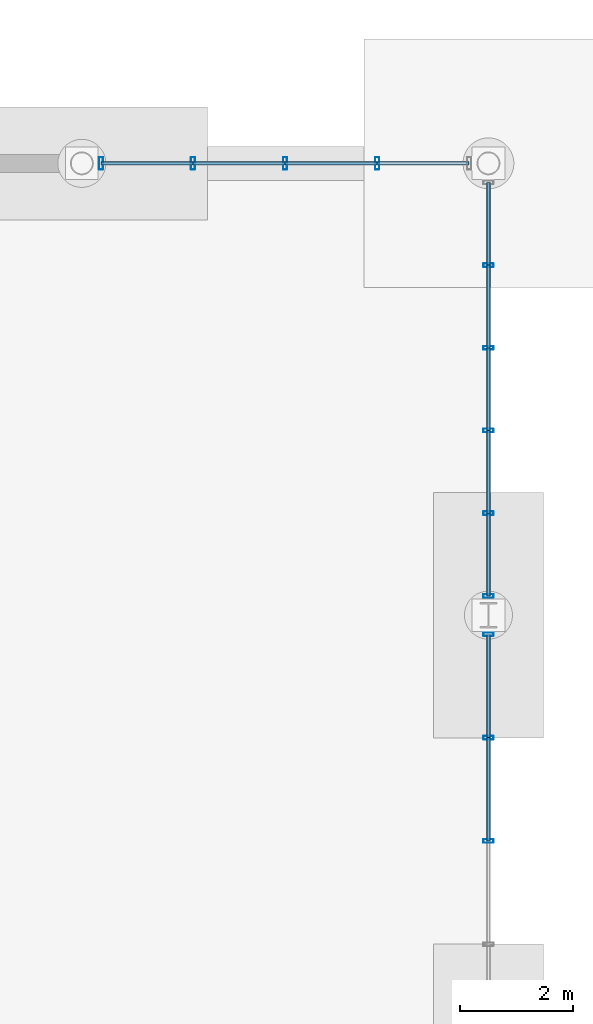
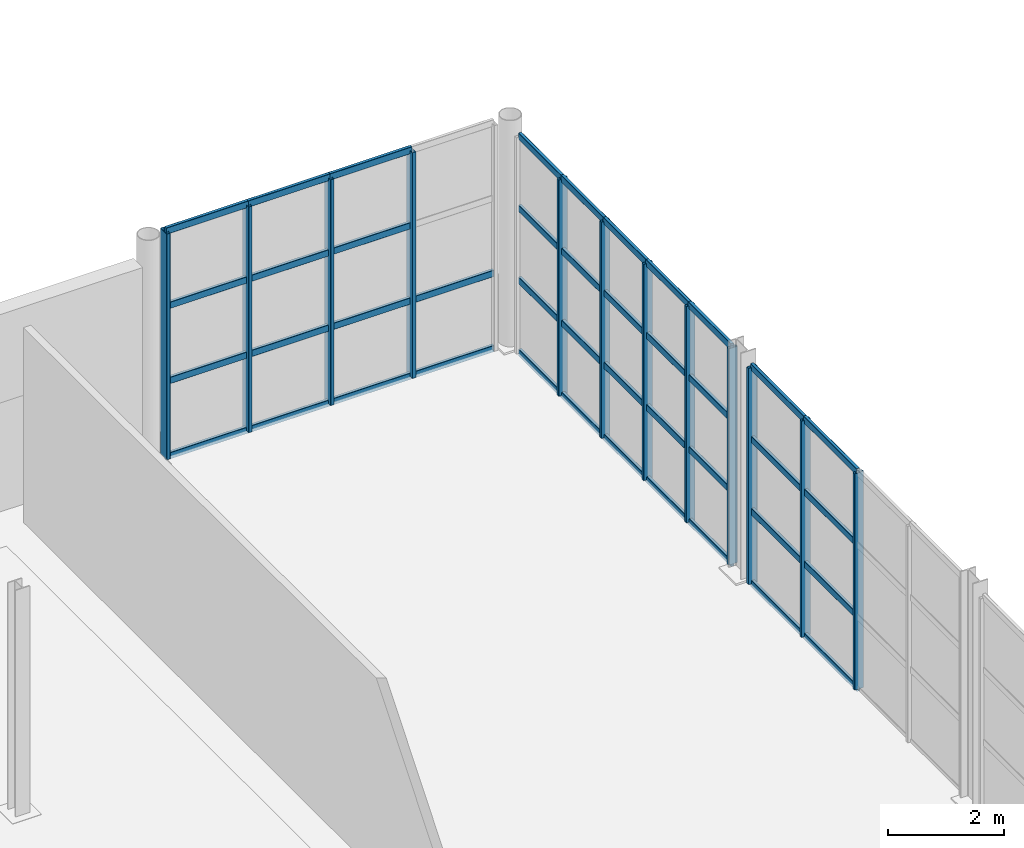
# One storey, part 48 of 101: 54 members, 3 elements without a shape of their own.
"""IFC4 building model written with IfcOpenShell, lengths in metres."""

from ifc_helpers import new_model, si_unit, derived_unit, direction, frame, origin, origin_2d, place, context, subcontext, project, spatial, hollow_rectangle, extrude, material, material_profile, profile_set, type_object, element, aggregate, save


model = new_model("IFC4")

# Units and contexts
model_context = context("Model", 3, precision=1e-05, world=origin(), true_north=direction((0.0, 1.0)))
body_context = subcontext(model_context, "Body", "Model", "MODEL_VIEW")
ifc_project = project(units=[si_unit("LENGTHUNIT", "METRE"), si_unit("AREAUNIT", "SQUARE_METRE"), si_unit("VOLUMEUNIT", "CUBIC_METRE"), si_unit("PLANEANGLEUNIT", "RADIAN"), si_unit("MASSUNIT", "GRAM", prefix="KILO"), derived_unit("THERMALTRANSMITTANCEUNIT", [(si_unit("POWERUNIT", "WATT"), 1), (si_unit("LENGTHUNIT", "METRE"), -2), (si_unit("THERMODYNAMICTEMPERATUREUNIT", "KELVIN"), -1)])], contexts=[model_context])

# Site, building, storey
site_placement = place(None, origin())
site = spatial("IfcSite", under=ifc_project, at=site_placement, CompositionType="ELEMENT")
building_placement = place(site_placement, origin())
building = spatial("IfcBuilding", under=site, at=building_placement, Name="Keldorne Ridge Multi-Sports Centre", CompositionType="ELEMENT")
storey_placement = place(building_placement, origin())
storey = spatial("IfcBuildingStorey", under=building, at=storey_placement, Name="L00", CompositionType="ELEMENT", Elevation=0.0)

# Curtain wall, members
ifc_material = material(Name="Anodized aluminium", Category="aluminium")
curtain_wall_type_1 = type_object("IfcCurtainWallType", Name="CW-CW-03", PredefinedType="NOTDEFINED", material=ifc_material)
curtain_wall_1_placement = place(storey_placement, origin())
curtain_wall_1 = element("IfcCurtainWall", 1, at=curtain_wall_1_placement, inside=storey, type_object=curtain_wall_type_1, Name="Climbing east courtyard glazing L00 067", PredefinedType="NOTDEFINED")
ifc_material_profile_1 = material_profile(ifc_material, hollow_rectangle(XDim=0.06494140625, YDim=0.179931640625, WallThickness=0.00439453125, InnerFilletRadius=0.00439453125, OuterFilletRadius=0.009033203125, at=origin_2d()), Name="ALU MULLION 180x65x4.5")
ifc_profile_set_1 = profile_set([ifc_material_profile_1], Name="Anodized aluminium")
member_type_1 = type_object("IfcMemberType", Name="MEM-ML-01", PredefinedType="MULLION", material=ifc_profile_set_1)
member_1_placement = place(storey_placement, frame((42.0, 102.0, 0.0), z_axis=(0.0, 0.0, 1.0), x_axis=(0.0, 1.0, 0.0)))
member_1 = element("IfcMember", 2, at=member_1_placement, type_object=member_type_1, Name="CW-067 vertical mullion 3", PredefinedType="MULLION", context=body_context, shape_type="SweptSolid", body=[
    extrude(hollow_rectangle(XDim=0.06494140625, YDim=0.179931640625, WallThickness=0.00439453125, InnerFilletRadius=0.00439453125, OuterFilletRadius=0.009033203125, at=origin_2d()), origin(), (0.0, 0.0, 1.0), 4.550048828125),
])
member_2_placement = place(storey_placement, frame((42.0, 103.830078125, 0.0), z_axis=(0.0, 0.0, 1.0), x_axis=(0.0, 1.0, 0.0)))
member_2 = element("IfcMember", 3, at=member_2_placement, type_object=member_type_1, Name="CW-067 vertical mullion 4", PredefinedType="MULLION", context=body_context, shape_type="SweptSolid", body=[
    extrude(hollow_rectangle(XDim=0.06494140625, YDim=0.179931640625, WallThickness=0.00439453125, InnerFilletRadius=0.00439453125, OuterFilletRadius=0.009033203125, at=origin_2d()), origin(), (0.0, 0.0, 1.0), 4.550048828125),
])
member_3_placement = place(storey_placement, frame((42.0, 105.659912109375, 0.0), z_axis=(0.0, 0.0, 1.0), x_axis=(0.0, 1.0, 0.0)))
member_3 = element("IfcMember", 4, at=member_3_placement, type_object=member_type_1, Name="CW-067 vertical mullion 5", PredefinedType="MULLION", context=body_context, shape_type="SweptSolid", body=[
    extrude(hollow_rectangle(XDim=0.06494140625, YDim=0.179931640625, WallThickness=0.00439453125, InnerFilletRadius=0.00439453125, OuterFilletRadius=0.009033203125, at=origin_2d()), origin(), (0.0, 0.0, 1.0), 4.550048828125),
])

curtain_wall_type_2 = type_object("IfcCurtainWallType", Name="CW-CW-06", PredefinedType="NOTDEFINED", material=ifc_material)
curtain_wall_2_placement = place(storey_placement, origin())
curtain_wall_2 = element("IfcCurtainWall", 5, at=curtain_wall_2_placement, inside=storey, type_object=curtain_wall_type_2, Name="Climbing east courtyard glazing L00 070", PredefinedType="NOTDEFINED")
member_4_placement = place(storey_placement, frame((42.0, 106.340087890625, 0.0), z_axis=(0.0, 0.0, 1.0), x_axis=(0.0, 1.0, 0.0)))
member_4 = element("IfcMember", 6, at=member_4_placement, type_object=member_type_1, Name="CW-070 vertical mullion 1", PredefinedType="MULLION", context=body_context, shape_type="SweptSolid", body=[
    extrude(hollow_rectangle(XDim=0.06494140625, YDim=0.179931640625, WallThickness=0.00439453125, InnerFilletRadius=0.00439453125, OuterFilletRadius=0.009033203125, at=origin_2d()), origin(), (0.0, 0.0, 1.0), 4.550048828125),
])
member_5_placement = place(storey_placement, frame((42.0, 107.803955078125, 0.0), z_axis=(0.0, 0.0, 1.0), x_axis=(0.0, 1.0, 0.0)))
member_5 = element("IfcMember", 7, at=member_5_placement, type_object=member_type_1, Name="CW-070 vertical mullion 2", PredefinedType="MULLION", context=body_context, shape_type="SweptSolid", body=[
    extrude(hollow_rectangle(XDim=0.06494140625, YDim=0.179931640625, WallThickness=0.00439453125, InnerFilletRadius=0.00439453125, OuterFilletRadius=0.009033203125, at=origin_2d()), origin(), (0.0, 0.0, 1.0), 4.550048828125),
])
member_6_placement = place(storey_placement, frame((42.0, 109.26806640625, 0.0), z_axis=(0.0, 0.0, 1.0), x_axis=(0.0, 1.0, 0.0)))
member_6 = element("IfcMember", 8, at=member_6_placement, type_object=member_type_1, Name="CW-070 vertical mullion 3", PredefinedType="MULLION", context=body_context, shape_type="SweptSolid", body=[
    extrude(hollow_rectangle(XDim=0.06494140625, YDim=0.179931640625, WallThickness=0.00439453125, InnerFilletRadius=0.00439453125, OuterFilletRadius=0.009033203125, at=origin_2d()), origin(), (0.0, 0.0, 1.0), 4.550048828125),
])
member_7_placement = place(storey_placement, frame((42.0, 110.73193359375, 0.0), z_axis=(0.0, 0.0, 1.0), x_axis=(0.0, 1.0, 0.0)))
member_7 = element("IfcMember", 9, at=member_7_placement, type_object=member_type_1, Name="CW-070 vertical mullion 4", PredefinedType="MULLION", context=body_context, shape_type="SweptSolid", body=[
    extrude(hollow_rectangle(XDim=0.06494140625, YDim=0.179931640625, WallThickness=0.00439453125, InnerFilletRadius=0.00439453125, OuterFilletRadius=0.009033203125, at=origin_2d()), origin(), (0.0, 0.0, 1.0), 4.550048828125),
])
member_8_placement = place(storey_placement, frame((42.0, 112.196044921875, 0.0), z_axis=(0.0, 0.0, 1.0), x_axis=(0.0, 1.0, 0.0)))
member_8 = element("IfcMember", 10, at=member_8_placement, type_object=member_type_1, Name="CW-070 vertical mullion 5", PredefinedType="MULLION", context=body_context, shape_type="SweptSolid", body=[
    extrude(hollow_rectangle(XDim=0.06494140625, YDim=0.179931640625, WallThickness=0.00439453125, InnerFilletRadius=0.00439453125, OuterFilletRadius=0.009033203125, at=origin_2d()), origin(), (0.0, 0.0, 1.0), 4.550048828125),
])

curtain_wall_type_3 = type_object("IfcCurtainWallType", Name="CW-CW-07", PredefinedType="NOTDEFINED", material=ifc_material)
curtain_wall_3_placement = place(storey_placement, origin())
curtain_wall_3 = element("IfcCurtainWall", 11, at=curtain_wall_3_placement, inside=storey, type_object=curtain_wall_type_3, Name="Climbing north glazing L00 055", PredefinedType="NOTDEFINED")
ifc_material_profile_2 = material_profile(ifc_material, hollow_rectangle(XDim=0.074951171875, YDim=0.219970703125, WallThickness=0.0048828125, InnerFilletRadius=0.0048828125, OuterFilletRadius=0.010009765625, at=origin_2d()), Name="ALU MULLION 220x75x5")
ifc_profile_set_2 = profile_set([ifc_material_profile_2], Name="Anodized aluminium")
member_type_2 = type_object("IfcMemberType", Name="MEM-ML-02", PredefinedType="MULLION", material=ifc_profile_set_2)
member_9_placement = place(storey_placement, frame((40.030029296875, 114.0, 0.0), z_axis=(0.0, 0.0, 1.0), x_axis=(1.0, 0.0, 0.0)))
member_9 = element("IfcMember", 12, at=member_9_placement, type_object=member_type_2, Name="CW-055 vertical mullion 2", PredefinedType="MULLION", context=body_context, shape_type="SweptSolid", body=[
    extrude(hollow_rectangle(XDim=0.074951171875, YDim=0.219970703125, WallThickness=0.0048828125, InnerFilletRadius=0.0048828125, OuterFilletRadius=0.010009765625, at=origin_2d()), origin(), (0.0, 0.0, 1.0), 4.75),
])
member_10_placement = place(storey_placement, frame((38.39990234375, 114.0, 0.0), z_axis=(0.0, 0.0, 1.0), x_axis=(1.0, 0.0, 0.0)))
member_10 = element("IfcMember", 13, at=member_10_placement, type_object=member_type_2, Name="CW-055 vertical mullion 3", PredefinedType="MULLION", context=body_context, shape_type="SweptSolid", body=[
    extrude(hollow_rectangle(XDim=0.074951171875, YDim=0.219970703125, WallThickness=0.0048828125, InnerFilletRadius=0.0048828125, OuterFilletRadius=0.010009765625, at=origin_2d()), origin(), (0.0, 0.0, 1.0), 4.75),
])
member_11_placement = place(storey_placement, frame((36.77001953125, 114.0, 0.0), z_axis=(0.0, 0.0, 1.0), x_axis=(1.0, 0.0, 0.0)))
member_11 = element("IfcMember", 14, at=member_11_placement, type_object=member_type_2, Name="CW-055 vertical mullion 4", PredefinedType="MULLION", context=body_context, shape_type="SweptSolid", body=[
    extrude(hollow_rectangle(XDim=0.074951171875, YDim=0.219970703125, WallThickness=0.0048828125, InnerFilletRadius=0.0048828125, OuterFilletRadius=0.010009765625, at=origin_2d()), origin(), (0.0, 0.0, 1.0), 4.75),
])
member_12_placement = place(storey_placement, frame((35.139892578125, 114.0, 0.0), z_axis=(0.0, 0.0, 1.0), x_axis=(1.0, 0.0, 0.0)))
member_12 = element("IfcMember", 15, at=member_12_placement, type_object=member_type_2, Name="CW-055 vertical mullion 5", PredefinedType="MULLION", context=body_context, shape_type="SweptSolid", body=[
    extrude(hollow_rectangle(XDim=0.074951171875, YDim=0.219970703125, WallThickness=0.0048828125, InnerFilletRadius=0.0048828125, OuterFilletRadius=0.010009765625, at=origin_2d()), origin(), (0.0, 0.0, 1.0), 4.75),
])
ifc_material_profile_3 = material_profile(ifc_material, hollow_rectangle(XDim=0.06494140625, YDim=0.139892578125, WallThickness=0.00439453125, InnerFilletRadius=0.00439453125, OuterFilletRadius=0.009033203125, at=origin_2d()), Name="ALU TRANSOM 140x65x4.5")
ifc_profile_set_3 = profile_set([ifc_material_profile_3], Name="Anodized aluminium")
member_type_3 = type_object("IfcMemberType", Name="MEM-TR-01", PredefinedType="USERDEFINED", material=ifc_profile_set_3)
member_13_placement = place(storey_placement, frame((41.659912109375, 114.0, 0.0), z_axis=(-1.0, 0.0, 0.0), x_axis=(0.0, -1.0, 0.0)))
member_13 = element("IfcMember", 16, at=member_13_placement, type_object=member_type_3, Name="CW-055 transom 1.1", ObjectType="TRANSOM", PredefinedType="USERDEFINED", context=body_context, shape_type="SweptSolid", body=[
    extrude(hollow_rectangle(XDim=0.06494140625, YDim=0.139892578125, WallThickness=0.00439453125, InnerFilletRadius=0.00439453125, OuterFilletRadius=0.009033203125, at=origin_2d()), origin(), (0.0, 0.0, 1.0), 1.6298828125),
])
member_14_placement = place(storey_placement, frame((41.659912109375, 114.0, 1.583251953125), z_axis=(-1.0, 0.0, 0.0), x_axis=(0.0, -1.0, 0.0)))
member_14 = element("IfcMember", 17, at=member_14_placement, type_object=member_type_3, Name="CW-055 transom 1.2", ObjectType="TRANSOM", PredefinedType="USERDEFINED", context=body_context, shape_type="SweptSolid", body=[
    extrude(hollow_rectangle(XDim=0.06494140625, YDim=0.139892578125, WallThickness=0.00439453125, InnerFilletRadius=0.00439453125, OuterFilletRadius=0.009033203125, at=origin_2d()), origin(), (0.0, 0.0, 1.0), 1.6298828125),
])
member_15_placement = place(storey_placement, frame((40.030029296875, 114.0, 0.0), z_axis=(-1.0, 0.0, 0.0), x_axis=(0.0, -1.0, 0.0)))
member_15 = element("IfcMember", 18, at=member_15_placement, type_object=member_type_3, Name="CW-055 transom 2.1", ObjectType="TRANSOM", PredefinedType="USERDEFINED", context=body_context, shape_type="SweptSolid", body=[
    extrude(hollow_rectangle(XDim=0.06494140625, YDim=0.139892578125, WallThickness=0.00439453125, InnerFilletRadius=0.00439453125, OuterFilletRadius=0.009033203125, at=origin_2d()), origin(), (0.0, 0.0, 1.0), 1.630126953125),
])
member_16_placement = place(storey_placement, frame((40.030029296875, 114.0, 1.583251953125), z_axis=(-1.0, 0.0, 0.0), x_axis=(0.0, -1.0, 0.0)))
member_16 = element("IfcMember", 19, at=member_16_placement, type_object=member_type_3, Name="CW-055 transom 2.2", ObjectType="TRANSOM", PredefinedType="USERDEFINED", context=body_context, shape_type="SweptSolid", body=[
    extrude(hollow_rectangle(XDim=0.06494140625, YDim=0.139892578125, WallThickness=0.00439453125, InnerFilletRadius=0.00439453125, OuterFilletRadius=0.009033203125, at=origin_2d()), origin(), (0.0, 0.0, 1.0), 1.630126953125),
])
member_17_placement = place(storey_placement, frame((40.030029296875, 114.0, 3.166748046875), z_axis=(-1.0, 0.0, 0.0), x_axis=(0.0, -1.0, 0.0)))
member_17 = element("IfcMember", 20, at=member_17_placement, type_object=member_type_3, Name="CW-055 transom 2.3", ObjectType="TRANSOM", PredefinedType="USERDEFINED", context=body_context, shape_type="SweptSolid", body=[
    extrude(hollow_rectangle(XDim=0.06494140625, YDim=0.139892578125, WallThickness=0.00439453125, InnerFilletRadius=0.00439453125, OuterFilletRadius=0.009033203125, at=origin_2d()), origin(), (0.0, 0.0, 1.0), 1.630126953125),
])
member_18_placement = place(storey_placement, frame((40.030029296875, 114.0, 4.75), z_axis=(-1.0, 0.0, 0.0), x_axis=(0.0, -1.0, 0.0)))
member_18 = element("IfcMember", 21, at=member_18_placement, type_object=member_type_3, Name="CW-055 transom 2.4", ObjectType="TRANSOM", PredefinedType="USERDEFINED", context=body_context, shape_type="SweptSolid", body=[
    extrude(hollow_rectangle(XDim=0.06494140625, YDim=0.139892578125, WallThickness=0.00439453125, InnerFilletRadius=0.00439453125, OuterFilletRadius=0.009033203125, at=origin_2d()), origin(), (0.0, 0.0, 1.0), 1.630126953125),
])
member_19_placement = place(storey_placement, frame((38.39990234375, 114.0, 0.0), z_axis=(-1.0, 0.0, 0.0), x_axis=(0.0, -1.0, 0.0)))
member_19 = element("IfcMember", 22, at=member_19_placement, type_object=member_type_3, Name="CW-055 transom 3.1", ObjectType="TRANSOM", PredefinedType="USERDEFINED", context=body_context, shape_type="SweptSolid", body=[
    extrude(hollow_rectangle(XDim=0.06494140625, YDim=0.139892578125, WallThickness=0.00439453125, InnerFilletRadius=0.00439453125, OuterFilletRadius=0.009033203125, at=origin_2d()), origin(), (0.0, 0.0, 1.0), 1.6298828125),
])
member_20_placement = place(storey_placement, frame((38.39990234375, 114.0, 1.583251953125), z_axis=(-1.0, 0.0, 0.0), x_axis=(0.0, -1.0, 0.0)))
member_20 = element("IfcMember", 23, at=member_20_placement, type_object=member_type_3, Name="CW-055 transom 3.2", ObjectType="TRANSOM", PredefinedType="USERDEFINED", context=body_context, shape_type="SweptSolid", body=[
    extrude(hollow_rectangle(XDim=0.06494140625, YDim=0.139892578125, WallThickness=0.00439453125, InnerFilletRadius=0.00439453125, OuterFilletRadius=0.009033203125, at=origin_2d()), origin(), (0.0, 0.0, 1.0), 1.6298828125),
])
member_21_placement = place(storey_placement, frame((38.39990234375, 114.0, 3.166748046875), z_axis=(-1.0, 0.0, 0.0), x_axis=(0.0, -1.0, 0.0)))
member_21 = element("IfcMember", 24, at=member_21_placement, type_object=member_type_3, Name="CW-055 transom 3.3", ObjectType="TRANSOM", PredefinedType="USERDEFINED", context=body_context, shape_type="SweptSolid", body=[
    extrude(hollow_rectangle(XDim=0.06494140625, YDim=0.139892578125, WallThickness=0.00439453125, InnerFilletRadius=0.00439453125, OuterFilletRadius=0.009033203125, at=origin_2d()), origin(), (0.0, 0.0, 1.0), 1.6298828125),
])
member_22_placement = place(storey_placement, frame((38.39990234375, 114.0, 4.75), z_axis=(-1.0, 0.0, 0.0), x_axis=(0.0, -1.0, 0.0)))
member_22 = element("IfcMember", 25, at=member_22_placement, type_object=member_type_3, Name="CW-055 transom 3.4", ObjectType="TRANSOM", PredefinedType="USERDEFINED", context=body_context, shape_type="SweptSolid", body=[
    extrude(hollow_rectangle(XDim=0.06494140625, YDim=0.139892578125, WallThickness=0.00439453125, InnerFilletRadius=0.00439453125, OuterFilletRadius=0.009033203125, at=origin_2d()), origin(), (0.0, 0.0, 1.0), 1.6298828125),
])
member_23_placement = place(storey_placement, frame((36.77001953125, 114.0, 0.0), z_axis=(-1.0, 0.0, 0.0), x_axis=(0.0, -1.0, 0.0)))
member_23 = element("IfcMember", 26, at=member_23_placement, type_object=member_type_3, Name="CW-055 transom 4.1", ObjectType="TRANSOM", PredefinedType="USERDEFINED", context=body_context, shape_type="SweptSolid", body=[
    extrude(hollow_rectangle(XDim=0.06494140625, YDim=0.139892578125, WallThickness=0.00439453125, InnerFilletRadius=0.00439453125, OuterFilletRadius=0.009033203125, at=origin_2d()), origin(), (0.0, 0.0, 1.0), 1.630126953125),
])
member_24_placement = place(storey_placement, frame((36.77001953125, 114.0, 1.583251953125), z_axis=(-1.0, 0.0, 0.0), x_axis=(0.0, -1.0, 0.0)))
member_24 = element("IfcMember", 27, at=member_24_placement, type_object=member_type_3, Name="CW-055 transom 4.2", ObjectType="TRANSOM", PredefinedType="USERDEFINED", context=body_context, shape_type="SweptSolid", body=[
    extrude(hollow_rectangle(XDim=0.06494140625, YDim=0.139892578125, WallThickness=0.00439453125, InnerFilletRadius=0.00439453125, OuterFilletRadius=0.009033203125, at=origin_2d()), origin(), (0.0, 0.0, 1.0), 1.630126953125),
])
member_25_placement = place(storey_placement, frame((36.77001953125, 114.0, 3.166748046875), z_axis=(-1.0, 0.0, 0.0), x_axis=(0.0, -1.0, 0.0)))
member_25 = element("IfcMember", 28, at=member_25_placement, type_object=member_type_3, Name="CW-055 transom 4.3", ObjectType="TRANSOM", PredefinedType="USERDEFINED", context=body_context, shape_type="SweptSolid", body=[
    extrude(hollow_rectangle(XDim=0.06494140625, YDim=0.139892578125, WallThickness=0.00439453125, InnerFilletRadius=0.00439453125, OuterFilletRadius=0.009033203125, at=origin_2d()), origin(), (0.0, 0.0, 1.0), 1.630126953125),
])
member_26_placement = place(storey_placement, frame((36.77001953125, 114.0, 4.75), z_axis=(-1.0, 0.0, 0.0), x_axis=(0.0, -1.0, 0.0)))
member_26 = element("IfcMember", 29, at=member_26_placement, type_object=member_type_3, Name="CW-055 transom 4.4", ObjectType="TRANSOM", PredefinedType="USERDEFINED", context=body_context, shape_type="SweptSolid", body=[
    extrude(hollow_rectangle(XDim=0.06494140625, YDim=0.139892578125, WallThickness=0.00439453125, InnerFilletRadius=0.00439453125, OuterFilletRadius=0.009033203125, at=origin_2d()), origin(), (0.0, 0.0, 1.0), 1.630126953125),
])
aggregate(curtain_wall_3, [member_9, member_10, member_11, member_12, member_13, member_14, member_15, member_16, member_17, member_18, member_19, member_20, member_21, member_22, member_23, member_24, member_25, member_26])

# Member
member_27_placement = place(storey_placement, frame((42.0, 102.0, 0.0), z_axis=(0.0, 1.0, 0.0), x_axis=(-1.0, 0.0, 0.0)))
member_27 = element("IfcMember", 30, at=member_27_placement, type_object=member_type_3, Name="CW-067 transom 3.1", ObjectType="TRANSOM", PredefinedType="USERDEFINED", context=body_context, shape_type="SweptSolid", body=[
    extrude(hollow_rectangle(XDim=0.06494140625, YDim=0.139892578125, WallThickness=0.00439453125, InnerFilletRadius=0.00439453125, OuterFilletRadius=0.009033203125, at=origin_2d()), origin(), (0.0, 0.0, 1.0), 1.830078125),
])

member_28_placement = place(storey_placement, frame((42.0, 102.0, 1.5166015625), z_axis=(0.0, 1.0, 0.0), x_axis=(-1.0, 0.0, 0.0)))
member_28 = element("IfcMember", 31, at=member_28_placement, type_object=member_type_3, Name="CW-067 transom 3.2", ObjectType="TRANSOM", PredefinedType="USERDEFINED", context=body_context, shape_type="SweptSolid", body=[
    extrude(hollow_rectangle(XDim=0.06494140625, YDim=0.139892578125, WallThickness=0.00439453125, InnerFilletRadius=0.00439453125, OuterFilletRadius=0.009033203125, at=origin_2d()), origin(), (0.0, 0.0, 1.0), 1.830078125),
])

member_29_placement = place(storey_placement, frame((42.0, 102.0, 3.033203125), z_axis=(0.0, 1.0, 0.0), x_axis=(-1.0, 0.0, 0.0)))
member_29 = element("IfcMember", 32, at=member_29_placement, type_object=member_type_3, Name="CW-067 transom 3.3", ObjectType="TRANSOM", PredefinedType="USERDEFINED", context=body_context, shape_type="SweptSolid", body=[
    extrude(hollow_rectangle(XDim=0.06494140625, YDim=0.139892578125, WallThickness=0.00439453125, InnerFilletRadius=0.00439453125, OuterFilletRadius=0.009033203125, at=origin_2d()), origin(), (0.0, 0.0, 1.0), 1.830078125),
])

member_30_placement = place(storey_placement, frame((42.0, 102.0, 4.550048828125), z_axis=(0.0, 1.0, 0.0), x_axis=(-1.0, 0.0, 0.0)))
member_30 = element("IfcMember", 33, at=member_30_placement, type_object=member_type_3, Name="CW-067 transom 3.4", ObjectType="TRANSOM", PredefinedType="USERDEFINED", context=body_context, shape_type="SweptSolid", body=[
    extrude(hollow_rectangle(XDim=0.06494140625, YDim=0.139892578125, WallThickness=0.00439453125, InnerFilletRadius=0.00439453125, OuterFilletRadius=0.009033203125, at=origin_2d()), origin(), (0.0, 0.0, 1.0), 1.830078125),
])

member_31_placement = place(storey_placement, frame((42.0, 103.830078125, 0.0), z_axis=(0.0, 1.0, 0.0), x_axis=(-1.0, 0.0, 0.0)))
member_31 = element("IfcMember", 34, at=member_31_placement, type_object=member_type_3, Name="CW-067 transom 4.1", ObjectType="TRANSOM", PredefinedType="USERDEFINED", context=body_context, shape_type="SweptSolid", body=[
    extrude(hollow_rectangle(XDim=0.06494140625, YDim=0.139892578125, WallThickness=0.00439453125, InnerFilletRadius=0.00439453125, OuterFilletRadius=0.009033203125, at=origin_2d()), origin(), (0.0, 0.0, 1.0), 1.829833984375),
])

member_32_placement = place(storey_placement, frame((42.0, 103.830078125, 1.5166015625), z_axis=(0.0, 1.0, 0.0), x_axis=(-1.0, 0.0, 0.0)))
member_32 = element("IfcMember", 35, at=member_32_placement, type_object=member_type_3, Name="CW-067 transom 4.2", ObjectType="TRANSOM", PredefinedType="USERDEFINED", context=body_context, shape_type="SweptSolid", body=[
    extrude(hollow_rectangle(XDim=0.06494140625, YDim=0.139892578125, WallThickness=0.00439453125, InnerFilletRadius=0.00439453125, OuterFilletRadius=0.009033203125, at=origin_2d()), origin(), (0.0, 0.0, 1.0), 1.829833984375),
])

member_33_placement = place(storey_placement, frame((42.0, 103.830078125, 3.033203125), z_axis=(0.0, 1.0, 0.0), x_axis=(-1.0, 0.0, 0.0)))
member_33 = element("IfcMember", 36, at=member_33_placement, type_object=member_type_3, Name="CW-067 transom 4.3", ObjectType="TRANSOM", PredefinedType="USERDEFINED", context=body_context, shape_type="SweptSolid", body=[
    extrude(hollow_rectangle(XDim=0.06494140625, YDim=0.139892578125, WallThickness=0.00439453125, InnerFilletRadius=0.00439453125, OuterFilletRadius=0.009033203125, at=origin_2d()), origin(), (0.0, 0.0, 1.0), 1.829833984375),
])

member_34_placement = place(storey_placement, frame((42.0, 103.830078125, 4.550048828125), z_axis=(0.0, 1.0, 0.0), x_axis=(-1.0, 0.0, 0.0)))
member_34 = element("IfcMember", 37, at=member_34_placement, type_object=member_type_3, Name="CW-067 transom 4.4", ObjectType="TRANSOM", PredefinedType="USERDEFINED", context=body_context, shape_type="SweptSolid", body=[
    extrude(hollow_rectangle(XDim=0.06494140625, YDim=0.139892578125, WallThickness=0.00439453125, InnerFilletRadius=0.00439453125, OuterFilletRadius=0.009033203125, at=origin_2d()), origin(), (0.0, 0.0, 1.0), 1.829833984375),
])

aggregate(curtain_wall_1, [member_1, member_2, member_3, member_27, member_28, member_29, member_30, member_31, member_32, member_33, member_34])

member_35_placement = place(storey_placement, frame((42.0, 106.340087890625, 0.0), z_axis=(0.0, 1.0, 0.0), x_axis=(-1.0, 0.0, 0.0)))
member_35 = element("IfcMember", 38, at=member_35_placement, type_object=member_type_3, Name="CW-070 transom 1.1", ObjectType="TRANSOM", PredefinedType="USERDEFINED", context=body_context, shape_type="SweptSolid", body=[
    extrude(hollow_rectangle(XDim=0.06494140625, YDim=0.139892578125, WallThickness=0.00439453125, InnerFilletRadius=0.00439453125, OuterFilletRadius=0.009033203125, at=origin_2d()), origin(), (0.0, 0.0, 1.0), 1.4638671875),
])

member_36_placement = place(storey_placement, frame((42.0, 106.340087890625, 1.5166015625), z_axis=(0.0, 1.0, 0.0), x_axis=(-1.0, 0.0, 0.0)))
member_36 = element("IfcMember", 39, at=member_36_placement, type_object=member_type_3, Name="CW-070 transom 1.2", ObjectType="TRANSOM", PredefinedType="USERDEFINED", context=body_context, shape_type="SweptSolid", body=[
    extrude(hollow_rectangle(XDim=0.06494140625, YDim=0.139892578125, WallThickness=0.00439453125, InnerFilletRadius=0.00439453125, OuterFilletRadius=0.009033203125, at=origin_2d()), origin(), (0.0, 0.0, 1.0), 1.4638671875),
])

member_37_placement = place(storey_placement, frame((42.0, 106.340087890625, 3.033203125), z_axis=(0.0, 1.0, 0.0), x_axis=(-1.0, 0.0, 0.0)))
member_37 = element("IfcMember", 40, at=member_37_placement, type_object=member_type_3, Name="CW-070 transom 1.3", ObjectType="TRANSOM", PredefinedType="USERDEFINED", context=body_context, shape_type="SweptSolid", body=[
    extrude(hollow_rectangle(XDim=0.06494140625, YDim=0.139892578125, WallThickness=0.00439453125, InnerFilletRadius=0.00439453125, OuterFilletRadius=0.009033203125, at=origin_2d()), origin(), (0.0, 0.0, 1.0), 1.4638671875),
])

member_38_placement = place(storey_placement, frame((42.0, 106.340087890625, 4.550048828125), z_axis=(0.0, 1.0, 0.0), x_axis=(-1.0, 0.0, 0.0)))
member_38 = element("IfcMember", 41, at=member_38_placement, type_object=member_type_3, Name="CW-070 transom 1.4", ObjectType="TRANSOM", PredefinedType="USERDEFINED", context=body_context, shape_type="SweptSolid", body=[
    extrude(hollow_rectangle(XDim=0.06494140625, YDim=0.139892578125, WallThickness=0.00439453125, InnerFilletRadius=0.00439453125, OuterFilletRadius=0.009033203125, at=origin_2d()), origin(), (0.0, 0.0, 1.0), 1.4638671875),
])

member_39_placement = place(storey_placement, frame((42.0, 107.803955078125, 0.0), z_axis=(0.0, 1.0, 0.0), x_axis=(-1.0, 0.0, 0.0)))
member_39 = element("IfcMember", 42, at=member_39_placement, type_object=member_type_3, Name="CW-070 transom 2.1", ObjectType="TRANSOM", PredefinedType="USERDEFINED", context=body_context, shape_type="SweptSolid", body=[
    extrude(hollow_rectangle(XDim=0.06494140625, YDim=0.139892578125, WallThickness=0.00439453125, InnerFilletRadius=0.00439453125, OuterFilletRadius=0.009033203125, at=origin_2d()), origin(), (0.0, 0.0, 1.0), 1.464111328125),
])

member_40_placement = place(storey_placement, frame((42.0, 107.803955078125, 1.5166015625), z_axis=(0.0, 1.0, 0.0), x_axis=(-1.0, 0.0, 0.0)))
member_40 = element("IfcMember", 43, at=member_40_placement, type_object=member_type_3, Name="CW-070 transom 2.2", ObjectType="TRANSOM", PredefinedType="USERDEFINED", context=body_context, shape_type="SweptSolid", body=[
    extrude(hollow_rectangle(XDim=0.06494140625, YDim=0.139892578125, WallThickness=0.00439453125, InnerFilletRadius=0.00439453125, OuterFilletRadius=0.009033203125, at=origin_2d()), origin(), (0.0, 0.0, 1.0), 1.464111328125),
])

member_41_placement = place(storey_placement, frame((42.0, 107.803955078125, 3.033203125), z_axis=(0.0, 1.0, 0.0), x_axis=(-1.0, 0.0, 0.0)))
member_41 = element("IfcMember", 44, at=member_41_placement, type_object=member_type_3, Name="CW-070 transom 2.3", ObjectType="TRANSOM", PredefinedType="USERDEFINED", context=body_context, shape_type="SweptSolid", body=[
    extrude(hollow_rectangle(XDim=0.06494140625, YDim=0.139892578125, WallThickness=0.00439453125, InnerFilletRadius=0.00439453125, OuterFilletRadius=0.009033203125, at=origin_2d()), origin(), (0.0, 0.0, 1.0), 1.464111328125),
])

member_42_placement = place(storey_placement, frame((42.0, 107.803955078125, 4.550048828125), z_axis=(0.0, 1.0, 0.0), x_axis=(-1.0, 0.0, 0.0)))
member_42 = element("IfcMember", 45, at=member_42_placement, type_object=member_type_3, Name="CW-070 transom 2.4", ObjectType="TRANSOM", PredefinedType="USERDEFINED", context=body_context, shape_type="SweptSolid", body=[
    extrude(hollow_rectangle(XDim=0.06494140625, YDim=0.139892578125, WallThickness=0.00439453125, InnerFilletRadius=0.00439453125, OuterFilletRadius=0.009033203125, at=origin_2d()), origin(), (0.0, 0.0, 1.0), 1.464111328125),
])

member_43_placement = place(storey_placement, frame((42.0, 109.26806640625, 0.0), z_axis=(0.0, 1.0, 0.0), x_axis=(-1.0, 0.0, 0.0)))
member_43 = element("IfcMember", 46, at=member_43_placement, type_object=member_type_3, Name="CW-070 transom 3.1", ObjectType="TRANSOM", PredefinedType="USERDEFINED", context=body_context, shape_type="SweptSolid", body=[
    extrude(hollow_rectangle(XDim=0.06494140625, YDim=0.139892578125, WallThickness=0.00439453125, InnerFilletRadius=0.00439453125, OuterFilletRadius=0.009033203125, at=origin_2d()), origin(), (0.0, 0.0, 1.0), 1.4638671875),
])

member_44_placement = place(storey_placement, frame((42.0, 109.26806640625, 1.5166015625), z_axis=(0.0, 1.0, 0.0), x_axis=(-1.0, 0.0, 0.0)))
member_44 = element("IfcMember", 47, at=member_44_placement, type_object=member_type_3, Name="CW-070 transom 3.2", ObjectType="TRANSOM", PredefinedType="USERDEFINED", context=body_context, shape_type="SweptSolid", body=[
    extrude(hollow_rectangle(XDim=0.06494140625, YDim=0.139892578125, WallThickness=0.00439453125, InnerFilletRadius=0.00439453125, OuterFilletRadius=0.009033203125, at=origin_2d()), origin(), (0.0, 0.0, 1.0), 1.4638671875),
])

member_45_placement = place(storey_placement, frame((42.0, 109.26806640625, 3.033203125), z_axis=(0.0, 1.0, 0.0), x_axis=(-1.0, 0.0, 0.0)))
member_45 = element("IfcMember", 48, at=member_45_placement, type_object=member_type_3, Name="CW-070 transom 3.3", ObjectType="TRANSOM", PredefinedType="USERDEFINED", context=body_context, shape_type="SweptSolid", body=[
    extrude(hollow_rectangle(XDim=0.06494140625, YDim=0.139892578125, WallThickness=0.00439453125, InnerFilletRadius=0.00439453125, OuterFilletRadius=0.009033203125, at=origin_2d()), origin(), (0.0, 0.0, 1.0), 1.4638671875),
])

member_46_placement = place(storey_placement, frame((42.0, 109.26806640625, 4.550048828125), z_axis=(0.0, 1.0, 0.0), x_axis=(-1.0, 0.0, 0.0)))
member_46 = element("IfcMember", 49, at=member_46_placement, type_object=member_type_3, Name="CW-070 transom 3.4", ObjectType="TRANSOM", PredefinedType="USERDEFINED", context=body_context, shape_type="SweptSolid", body=[
    extrude(hollow_rectangle(XDim=0.06494140625, YDim=0.139892578125, WallThickness=0.00439453125, InnerFilletRadius=0.00439453125, OuterFilletRadius=0.009033203125, at=origin_2d()), origin(), (0.0, 0.0, 1.0), 1.4638671875),
])

member_47_placement = place(storey_placement, frame((42.0, 110.73193359375, 0.0), z_axis=(0.0, 1.0, 0.0), x_axis=(-1.0, 0.0, 0.0)))
member_47 = element("IfcMember", 50, at=member_47_placement, type_object=member_type_3, Name="CW-070 transom 4.1", ObjectType="TRANSOM", PredefinedType="USERDEFINED", context=body_context, shape_type="SweptSolid", body=[
    extrude(hollow_rectangle(XDim=0.06494140625, YDim=0.139892578125, WallThickness=0.00439453125, InnerFilletRadius=0.00439453125, OuterFilletRadius=0.009033203125, at=origin_2d()), origin(), (0.0, 0.0, 1.0), 1.464111328125),
])

member_48_placement = place(storey_placement, frame((42.0, 110.73193359375, 1.5166015625), z_axis=(0.0, 1.0, 0.0), x_axis=(-1.0, 0.0, 0.0)))
member_48 = element("IfcMember", 51, at=member_48_placement, type_object=member_type_3, Name="CW-070 transom 4.2", ObjectType="TRANSOM", PredefinedType="USERDEFINED", context=body_context, shape_type="SweptSolid", body=[
    extrude(hollow_rectangle(XDim=0.06494140625, YDim=0.139892578125, WallThickness=0.00439453125, InnerFilletRadius=0.00439453125, OuterFilletRadius=0.009033203125, at=origin_2d()), origin(), (0.0, 0.0, 1.0), 1.464111328125),
])

member_49_placement = place(storey_placement, frame((42.0, 110.73193359375, 3.033203125), z_axis=(0.0, 1.0, 0.0), x_axis=(-1.0, 0.0, 0.0)))
member_49 = element("IfcMember", 52, at=member_49_placement, type_object=member_type_3, Name="CW-070 transom 4.3", ObjectType="TRANSOM", PredefinedType="USERDEFINED", context=body_context, shape_type="SweptSolid", body=[
    extrude(hollow_rectangle(XDim=0.06494140625, YDim=0.139892578125, WallThickness=0.00439453125, InnerFilletRadius=0.00439453125, OuterFilletRadius=0.009033203125, at=origin_2d()), origin(), (0.0, 0.0, 1.0), 1.464111328125),
])

member_50_placement = place(storey_placement, frame((42.0, 110.73193359375, 4.550048828125), z_axis=(0.0, 1.0, 0.0), x_axis=(-1.0, 0.0, 0.0)))
member_50 = element("IfcMember", 53, at=member_50_placement, type_object=member_type_3, Name="CW-070 transom 4.4", ObjectType="TRANSOM", PredefinedType="USERDEFINED", context=body_context, shape_type="SweptSolid", body=[
    extrude(hollow_rectangle(XDim=0.06494140625, YDim=0.139892578125, WallThickness=0.00439453125, InnerFilletRadius=0.00439453125, OuterFilletRadius=0.009033203125, at=origin_2d()), origin(), (0.0, 0.0, 1.0), 1.464111328125),
])

member_51_placement = place(storey_placement, frame((42.0, 112.196044921875, 0.0), z_axis=(0.0, 1.0, 0.0), x_axis=(-1.0, 0.0, 0.0)))
member_51 = element("IfcMember", 54, at=member_51_placement, type_object=member_type_3, Name="CW-070 transom 5.1", ObjectType="TRANSOM", PredefinedType="USERDEFINED", context=body_context, shape_type="SweptSolid", body=[
    extrude(hollow_rectangle(XDim=0.06494140625, YDim=0.139892578125, WallThickness=0.00439453125, InnerFilletRadius=0.00439453125, OuterFilletRadius=0.009033203125, at=origin_2d()), origin(), (0.0, 0.0, 1.0), 1.4638671875),
])

member_52_placement = place(storey_placement, frame((42.0, 112.196044921875, 1.5166015625), z_axis=(0.0, 1.0, 0.0), x_axis=(-1.0, 0.0, 0.0)))
member_52 = element("IfcMember", 55, at=member_52_placement, type_object=member_type_3, Name="CW-070 transom 5.2", ObjectType="TRANSOM", PredefinedType="USERDEFINED", context=body_context, shape_type="SweptSolid", body=[
    extrude(hollow_rectangle(XDim=0.06494140625, YDim=0.139892578125, WallThickness=0.00439453125, InnerFilletRadius=0.00439453125, OuterFilletRadius=0.009033203125, at=origin_2d()), origin(), (0.0, 0.0, 1.0), 1.4638671875),
])

member_53_placement = place(storey_placement, frame((42.0, 112.196044921875, 3.033203125), z_axis=(0.0, 1.0, 0.0), x_axis=(-1.0, 0.0, 0.0)))
member_53 = element("IfcMember", 56, at=member_53_placement, type_object=member_type_3, Name="CW-070 transom 5.3", ObjectType="TRANSOM", PredefinedType="USERDEFINED", context=body_context, shape_type="SweptSolid", body=[
    extrude(hollow_rectangle(XDim=0.06494140625, YDim=0.139892578125, WallThickness=0.00439453125, InnerFilletRadius=0.00439453125, OuterFilletRadius=0.009033203125, at=origin_2d()), origin(), (0.0, 0.0, 1.0), 1.4638671875),
])

member_54_placement = place(storey_placement, frame((42.0, 112.196044921875, 4.550048828125), z_axis=(0.0, 1.0, 0.0), x_axis=(-1.0, 0.0, 0.0)))
member_54 = element("IfcMember", 57, at=member_54_placement, type_object=member_type_3, Name="CW-070 transom 5.4", ObjectType="TRANSOM", PredefinedType="USERDEFINED", context=body_context, shape_type="SweptSolid", body=[
    extrude(hollow_rectangle(XDim=0.06494140625, YDim=0.139892578125, WallThickness=0.00439453125, InnerFilletRadius=0.00439453125, OuterFilletRadius=0.009033203125, at=origin_2d()), origin(), (0.0, 0.0, 1.0), 1.4638671875),
])

aggregate(curtain_wall_2, [member_4, member_5, member_6, member_7, member_8, member_35, member_36, member_37, member_38, member_39, member_40, member_41, member_42, member_43, member_44, member_45, member_46, member_47, member_48, member_49, member_50, member_51, member_52, member_53, member_54])

save(model, "model.ifc")
